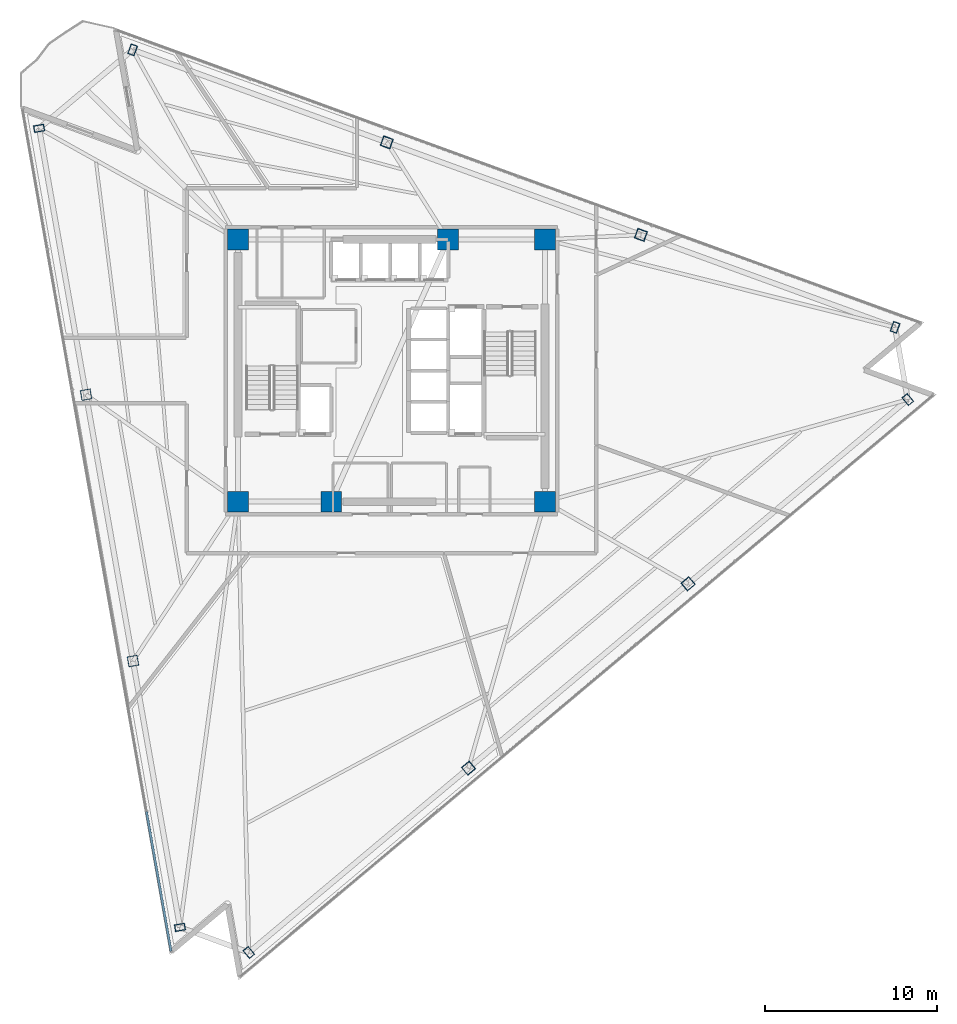
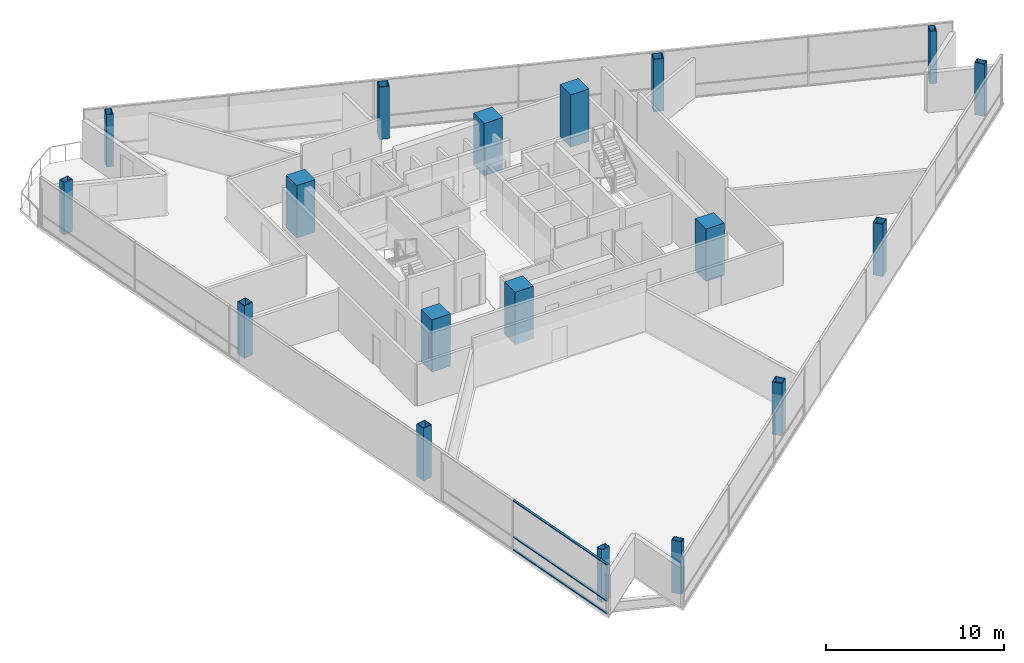
# One storey, part 1 of 16: 18 columns, 3 members, 1 element without a shape of its own.
"""IFC4 building model written with IfcOpenShell, lengths in metres."""

from ifc_helpers import new_model, si_unit, direction, frame, origin, origin_2d, place, context, subcontext, project, spatial, rectangle, hollow_rectangle, extrude, material, layer, layer_set, material_profile, profile_set, type_object, element, aggregate, save


model = new_model("IFC4")

# Units and contexts
model_context = context("Model", 3, precision=1e-05, world=origin(), true_north=direction((0.0, 1.0)))
body_context = subcontext(model_context, "Body", "Model", "MODEL_VIEW")
ifc_project = project(units=[si_unit("LENGTHUNIT", "METRE"), si_unit("AREAUNIT", "SQUARE_METRE"), si_unit("VOLUMEUNIT", "CUBIC_METRE"), si_unit("PLANEANGLEUNIT", "RADIAN"), si_unit("MASSUNIT", "GRAM", prefix="KILO")], contexts=[model_context])

# Site, building, storey
site_placement = place(None, origin())
site = spatial("IfcSite", under=ifc_project, at=site_placement, CompositionType="ELEMENT")
building_placement = place(site_placement, origin())
building = spatial("IfcBuilding", under=site, at=building_placement, Name="Tharavind Bronze Gate", CompositionType="ELEMENT")
storey_placement = place(building_placement, frame((0.0, 0.0, 188.5)))
storey = spatial("IfcBuildingStorey", under=building, at=storey_placement, Name="L48", CompositionType="ELEMENT", Elevation=188.5)

# Columns
ifc_material_1 = material(Name="Steel S460", Category="steel")
ifc_material_profile_1 = material_profile(ifc_material_1, hollow_rectangle(XDim=0.39990234375, YDim=0.60009765625, WallThickness=0.030029296875, at=origin_2d()), Name="RHS600X400X30")
ifc_profile_set_1 = profile_set([ifc_material_profile_1], Name="Steel S460")
column_type_1 = type_object("IfcColumnType", Name="CORNER NOTCH COLUMN RHS600X400", PredefinedType="COLUMN", material=ifc_profile_set_1)
for number, where, z_axis, x_axis, name in (
    (1, (-20.4326171875, 14.043212890625, 0.0), (0.0, 0.0, 1.0), (-0.173648177667, 0.984807753012, 0.0), "L48 perimeter column S1C1"),
    (2, (-12.263916015625, -32.2841796875, 0.0), (0.0, 0.0, 1.0), (-0.173648177667, 0.984807753012, 0.0), "L48 perimeter column S1C4"),
    (3, (-8.27197265625, -33.737060546875, 0.0), (0.0, 0.0, 1.0), (0.766043321242, 0.642788946685, 0.0), "L48 perimeter column S2C1"),
    (4, (29.933837890625, -1.6787109375, 0.0), (0.0, 0.0, 1.0), (0.766043321242, 0.642788946685, 0.0), "L48 perimeter column S2C4"),
    (5, (29.1962890625, 2.5048828125, 0.0), (0.0, 0.0, 1.0), (-0.939692023847, 0.342021783398, 0.0), "L48 perimeter column S3C1"),
    (6, (-15.0087890625, 18.59423828125, 0.0), (0.0, 0.0, 1.0), (-0.939692023847, 0.342021783398, 0.0), "L48 perimeter column S3C4"),
):
    element("IfcColumn", number, at=place(storey_placement, frame(where, z_axis=z_axis, x_axis=x_axis)), inside=storey, type_object=column_type_1, Name=name, PredefinedType="COLUMN", context=body_context, shape_type="SweptSolid", body=[
        extrude(hollow_rectangle(XDim=0.39990234375, YDim=0.60009765625, WallThickness=0.030029296875, at=origin_2d()), origin(), (0.0, 0.0, 1.0), 3.60009765625),
    ])
ifc_material_2 = material(Name="Concrete C60/75", Category="concrete")
ifc_material_profile_2 = material_profile(ifc_material_2, rectangle(XDim=1.199951171875, YDim=1.199951171875, at=origin_2d()), Name="RCCOL1200")
ifc_profile_set_2 = profile_set([ifc_material_profile_2], Name="Concrete C60/75")
column_type_2 = type_object("IfcColumnType", Name="MEGA CORE COLUMN 1200", PredefinedType="COLUMN", material=ifc_profile_set_2)
for number, where, z_axis, x_axis, name in (
    (7, (-8.89990234375, -7.60009765625, 0.0), (0.0, 0.0, 1.0), (1.0, 0.0, 0.0), "L48 core mega column MC1"),
    (8, (-3.5, -7.60009765625, 0.0), (0.0, 0.0, 1.0), (1.0, 0.0, 0.0), "L48 core mega column MC2"),
    (9, (8.89990234375, -7.60009765625, 0.0), (0.0, 0.0, 1.0), (1.0, 0.0, 0.0), "L48 core mega column MC3"),
    (10, (8.89990234375, 7.60009765625, 0.0), (0.0, 0.0, 1.0), (1.0, 0.0, 0.0), "L48 core mega column MC4"),
    (11, (3.280029296875, 7.60009765625, 0.0), (0.0, 0.0, 1.0), (1.0, 0.0, 0.0), "L48 core mega column MC5"),
    (12, (-8.89990234375, 7.60009765625, 0.0), (0.0, 0.0, 1.0), (1.0, 0.0, 0.0), "L48 core mega column MC6"),
):
    element("IfcColumn", number, at=place(storey_placement, frame(where, z_axis=z_axis, x_axis=x_axis)), inside=storey, type_object=column_type_2, Name=name, PredefinedType="COLUMN", context=body_context, shape_type="SweptSolid", body=[
        extrude(rectangle(XDim=1.199951171875, YDim=1.199951171875, at=origin_2d()), origin(), (0.0, 0.0, 1.0), 3.60009765625),
    ])
ifc_material_profile_3 = material_profile(ifc_material_1, hollow_rectangle(XDim=0.60009765625, YDim=0.60009765625, WallThickness=0.035888671875, at=origin_2d()), Name="SHS600X36")
ifc_profile_set_3 = profile_set([ifc_material_profile_3], Name="Steel S460")
column_type_3 = type_object("IfcColumnType", Name="PERIMETER BOX COLUMN SHS600", PredefinedType="COLUMN", material=ifc_profile_set_3)
for number, where, z_axis, x_axis, name in (
    (13, (-17.709716796875, -1.3994140625, 0.0), (0.0, 0.0, 1.0), (-0.173648177667, 0.984807753012, 0.0), "L48 perimeter column S1C2"),
    (14, (-14.98681640625, -16.841796875, 0.0), (0.0, 0.0, 1.0), (-0.173648177667, 0.984807753012, 0.0), "L48 perimeter column S1C3"),
    (15, (4.46337890625, -23.05078125, 0.0), (0.0, 0.0, 1.0), (0.766043321242, 0.642788946685, 0.0), "L48 perimeter column S2C2"),
    (16, (17.198486328125, -12.36474609375, 0.0), (0.0, 0.0, 1.0), (0.766043321242, 0.642788946685, 0.0), "L48 perimeter column S2C3"),
    (17, (14.461181640625, 7.867919921875, 0.0), (0.0, 0.0, 1.0), (-0.939692023847, 0.342021783398, 0.0), "L48 perimeter column S3C2"),
    (18, (-0.27392578125, 13.231201171875, 0.0), (0.0, 0.0, 1.0), (-0.939692023847, 0.342021783398, 0.0), "L48 perimeter column S3C3"),
):
    element("IfcColumn", number, at=place(storey_placement, frame(where, z_axis=z_axis, x_axis=x_axis)), inside=storey, type_object=column_type_3, Name=name, PredefinedType="COLUMN", context=body_context, shape_type="SweptSolid", body=[
        extrude(hollow_rectangle(XDim=0.60009765625, YDim=0.60009765625, WallThickness=0.035888671875, at=origin_2d()), origin(), (0.0, 0.0, 1.0), 3.60009765625),
    ])

# Curtain wall, members
ifc_material_3 = material(Name="Anodised Bronze Aluminium", Category="aluminium")
ifc_layer = layer(ifc_material_3, 0.219970703125)
ifc_layer_set = layer_set([ifc_layer], Name="Anodised Bronze Aluminium")
curtain_wall_type = type_object("IfcCurtainWallType", Name="UNITISED CURTAIN WALL MID OFFICE", PredefinedType="USERDEFINED", material=ifc_layer_set)
curtain_wall_placement = place(storey_placement, origin())
curtain_wall = element("IfcCurtainWall", 19, at=curtain_wall_placement, inside=storey, type_object=curtain_wall_type, Name="L48 unitised curtain wall mid office CW-L48-S1", ObjectType="UNITISED CURTAIN WALL", PredefinedType="USERDEFINED")
member_type = type_object("IfcMemberType", Name="CURTAIN WALL BRONZE TRANSOM 65X140", PredefinedType="USERDEFINED", material=ifc_material_3)
member_1_placement = place(storey_placement, frame((-13.4951171875, -29.6201171875, 0.0), z_axis=(0.0, 0.0, 1.0), x_axis=(0.173648177667, -0.984807753012, 0.0)))
member_1 = element("IfcMember", 20, at=member_1_placement, type_object=member_type, Name="CW-L48-S1 transom TB6", ObjectType="TRANSOM", PredefinedType="USERDEFINED", context=body_context, shape_type="SweptSolid", body=[
    extrude(rectangle(XDim=8.220458984375, YDim=0.139892578125, at=origin_2d()), origin(), (0.0, 0.0, 1.0), 0.06494140625),
])
member_2_placement = place(storey_placement, frame((-13.4951171875, -29.6201171875, 0.867431640625), z_axis=(0.0, 0.0, 1.0), x_axis=(0.173648177667, -0.984807753012, 0.0)))
member_2 = element("IfcMember", 21, at=member_2_placement, type_object=member_type, Name="CW-L48-S1 transom TS6", ObjectType="TRANSOM", PredefinedType="USERDEFINED", context=body_context, shape_type="SweptSolid", body=[
    extrude(rectangle(XDim=8.220458984375, YDim=0.139892578125, at=origin_2d()), origin(), (0.0, 0.0, 1.0), 0.06494140625),
])
member_3_placement = place(storey_placement, frame((-13.4951171875, -29.6201171875, 3.35498046875), z_axis=(0.0, 0.0, 1.0), x_axis=(0.173648177667, -0.984807753012, 0.0)))
member_3 = element("IfcMember", 22, at=member_3_placement, type_object=member_type, Name="CW-L48-S1 transom TT6", ObjectType="TRANSOM", PredefinedType="USERDEFINED", context=body_context, shape_type="SweptSolid", body=[
    extrude(rectangle(XDim=8.220458984375, YDim=0.139892578125, at=origin_2d()), origin(), (0.0, 0.0, 1.0), 0.06494140625),
])
aggregate(curtain_wall, [member_1, member_2, member_3])

save(model, "model.ifc")
